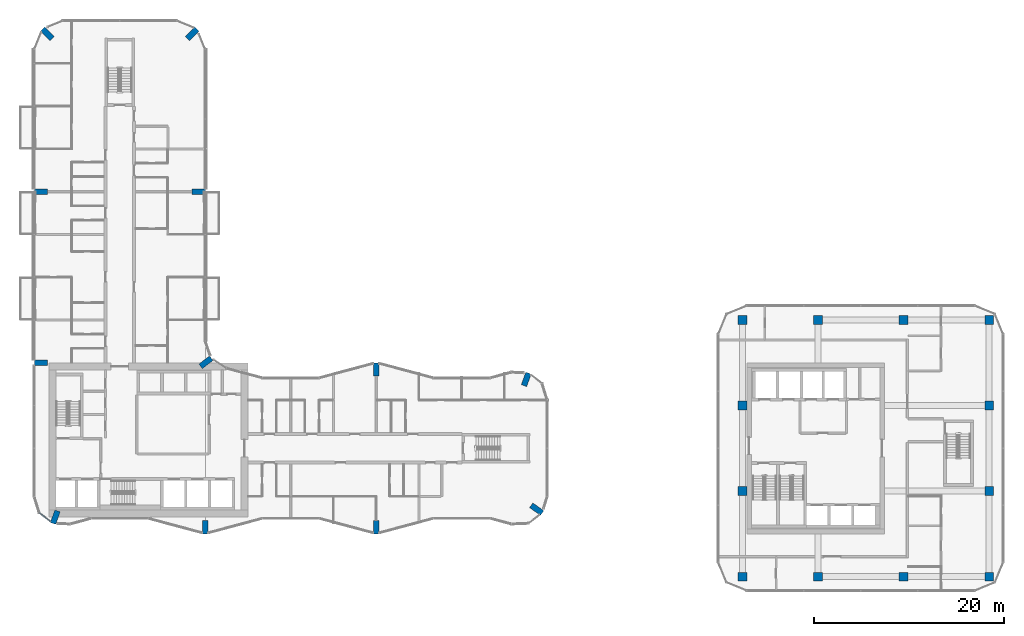
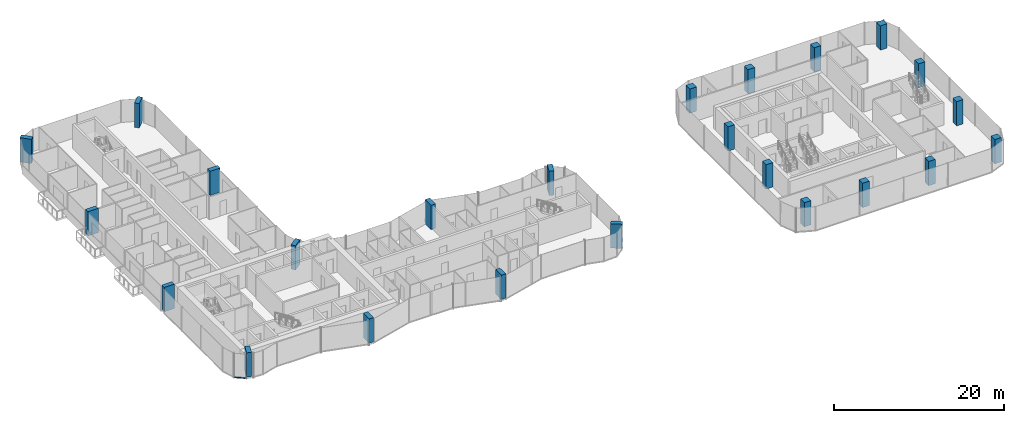
# One storey, part 1 of 23: 24 columns, 1 member, 1 element without a shape of its own.
"""IFC4 building model written with IfcOpenShell, lengths in metres."""

import ifcopenshell
import ifcopenshell.guid

model = None  # the IFC model being written
_history = None  # IfcOwnerHistory: only IFC2X3 demands one
_inside = {}  # id of a spatial element -> (the spatial element, [elements in it])
_under = {}  # id of a project, library or spatial element -> (it, [spatial elements below it])
_declared = {}  # id of a project -> (the project, [libraries it declares])
_typed = {}  # id of a type object -> (the type object, [elements of that type])
_made_of = {}  # id of a material, layer set ... -> (it, [elements and type objects made of it])


def new_model(schema):
    """Start an empty IFC model of exactly this schema.

    Asked for "IFC4X3", IfcOpenShell would pick the latest addendum, in which some entities
    have other attributes; the version numbers below select the first issue.
    IFC2X3 requires an IfcOwnerHistory on every rooted entity: one is made here for all.
    """
    global model, _history
    if schema == "IFC4X3":
        model = ifcopenshell.file(schema_version=(4, 3, 0, 0))
    else:
        model = ifcopenshell.file(schema=schema)
    _inside.clear()
    _under.clear()
    _declared.clear()
    _typed.clear()
    _made_of.clear()
    _history = None
    if model.schema == "IFC2X3":
        org = make("IfcOrganization", Name="unknown")
        user = make(
            "IfcPersonAndOrganization",
            ThePerson=make("IfcPerson", FamilyName="unknown"),
            TheOrganization=org,
        )
        app = make(
            "IfcApplication",
            ApplicationDeveloper=org,
            Version="unknown",
            ApplicationFullName="unknown",
            ApplicationIdentifier="unknown",
        )
        _history = make(
            "IfcOwnerHistory",
            OwningUser=user,
            OwningApplication=app,
            ChangeAction="ADDED",
            CreationDate=0,
        )
    return model


def make(cls, **values):
    """One entity of the class cls with the attributes given. An attribute that is None is left unset."""
    return model.create_entity(
        cls, **{name: value for name, value in values.items() if value is not None}
    )


def rooted(cls, **values):
    """An entity with a GlobalId (a new one), such as an element, a storey or a relation."""
    return make(cls, GlobalId=ifcopenshell.guid.new(), OwnerHistory=_history, **values)


def si_unit(unit_type, name, prefix=None):
    """IfcSIUnit, for example si_unit("LENGTHUNIT", "METRE", prefix="MILLI")."""
    return make("IfcSIUnit", UnitType=unit_type, Prefix=prefix, Name=name)


def assignment(units):
    """IfcUnitAssignment: the units of a project."""
    return None if units is None else make("IfcUnitAssignment", Units=units)


def point(xyz):
    """IfcCartesianPoint."""
    return None if xyz is None else make("IfcCartesianPoint", Coordinates=xyz)


def direction(xyz):
    """IfcDirection."""
    return None if xyz is None else make("IfcDirection", DirectionRatios=xyz)


def frame(location, z_axis=None, x_axis=None):
    """IfcAxis2Placement3D, a coordinate frame: its origin and axes. An axis left out is left unset."""
    return make(
        "IfcAxis2Placement3D",
        Location=point(location),
        Axis=direction(z_axis),
        RefDirection=direction(x_axis),
    )


def frame_2d(location, x_axis=None):
    """IfcAxis2Placement2D, a coordinate frame in the plane: its origin and x axis."""
    return make(
        "IfcAxis2Placement2D", Location=point(location), RefDirection=direction(x_axis)
    )


def origin():
    """The frame at (0, 0, 0) with its axes left unset."""
    return frame((0.0, 0.0, 0.0))


def origin_2d():
    """The frame at (0, 0) in the plane with its x axis left unset."""
    return frame_2d((0.0, 0.0))


def place(relative_to, where):
    """IfcLocalPlacement: puts the frame where relative to a parent placement (None: the world)."""
    return make(
        "IfcLocalPlacement", PlacementRelTo=relative_to, RelativePlacement=where
    )


def context(
    kind, dimensions, precision=None, world=None, true_north=None, identifier=None
):
    """IfcGeometricRepresentationContext, for example the 3D "Model" context."""
    return make(
        "IfcGeometricRepresentationContext",
        ContextIdentifier=identifier,
        ContextType=kind,
        CoordinateSpaceDimension=dimensions,
        Precision=precision,
        WorldCoordinateSystem=world,
        TrueNorth=true_north,
    )


def subcontext(parent, identifier, kind, view, scale=None):
    """IfcGeometricRepresentationSubContext, for example "Body" below "Model"."""
    return make(
        "IfcGeometricRepresentationSubContext",
        ContextIdentifier=identifier,
        ContextType=kind,
        ParentContext=parent,
        TargetScale=scale,
        TargetView=view,
    )


def project(units=None, contexts=None):
    """IfcProject with its units and contexts."""
    return rooted(
        "IfcProject",
        Name="project",
        RepresentationContexts=contexts,
        UnitsInContext=assignment(units),
    )


def spatial(cls, under=None, at=None, **own):
    """A site, building, storey or space (cls), placed at a placement, below another one or the project."""
    s = rooted(cls, ObjectPlacement=at, **own)
    if under is not None:
        _under.setdefault(under.id(), (under, []))[1].append(s)
    return s


def profile(cls, at=None, kind="AREA", **sizes):
    """A parametric profile (cls). Its sizes go by their IFC names, for example OverallWidth=200.0."""
    return make(cls, ProfileType=kind, Position=at, **sizes)


def rectangle(**sizes):
    """IfcRectangleProfileDef."""
    return profile("IfcRectangleProfileDef", **sizes)


def extrude(swept, where, along, depth):
    """IfcExtrudedAreaSolid: the profile swept, set in the frame where, extruded along a direction by depth."""
    return make(
        "IfcExtrudedAreaSolid",
        SweptArea=swept,
        Position=where,
        ExtrudedDirection=direction(along),
        Depth=depth,
    )


def shape(context_of_items, identifier, shape_type, items):
    """IfcShapeRepresentation: the items that make up one representation, for example the "Body"."""
    return make(
        "IfcShapeRepresentation",
        ContextOfItems=context_of_items,
        RepresentationIdentifier=identifier,
        RepresentationType=shape_type,
        Items=items,
    )


def material(Name=None, Category=None):
    """IfcMaterial."""
    return make("IfcMaterial", Name=Name, Category=Category)


def layer(
    of_material, thickness, ventilated=None, Name=None, Category=None, Priority=None
):
    """IfcMaterialLayer: one layer of a wall or slab, of a material (None: an air gap)."""
    return make(
        "IfcMaterialLayer",
        Material=of_material,
        LayerThickness=thickness,
        IsVentilated=ventilated,
        Name=Name,
        Category=Category,
        Priority=Priority,
    )


def layer_set(layers, Name=None):
    """IfcMaterialLayerSet."""
    return make("IfcMaterialLayerSet", MaterialLayers=layers, LayerSetName=Name)


def material_profile(
    of_material, cross_section, Name=None, Category=None, Priority=None
):
    """IfcMaterialProfile: a cross section and its material."""
    return make(
        "IfcMaterialProfile",
        Name=Name,
        Material=of_material,
        Profile=cross_section,
        Priority=Priority,
        Category=Category,
    )


def profile_set(profiles, Name=None, composite=None):
    """IfcMaterialProfileSet."""
    return make(
        "IfcMaterialProfileSet",
        Name=Name,
        MaterialProfiles=profiles,
        CompositeProfile=composite,
    )


def made_of(thing, what):
    """Note that an element or type object is made of a material, layer set ...; save() writes the relation."""
    if what is not None:
        _made_of.setdefault(what.id(), (what, []))[1].append(thing)
    return thing


def type_object(cls, material=None, **own):
    """A type object (cls), such as IfcWallType, which elements share."""
    return made_of(rooted(cls, **own), material)


def element(
    cls,
    number,
    at=None,
    inside=None,
    cuts=None,
    type_object=None,
    material=None,
    context=None,
    identifier="Body",
    shape_type=None,
    held_by="IfcProductDefinitionShape",
    body=None,
    shapes=None,
    **own,
):
    """One element of the class cls, such as IfcWall. Its Tag is "e" and its number.

    at: its placement. inside: the storey or other place that contains it. cuts: it is an
    opening in that element (IfcRelVoidsElement). A single representation is given by context,
    identifier, shape_type and body (its items); several are given by shapes. held_by: the class
    of the entity that holds the representations. save() writes the other relations.
    """
    e = rooted(cls, Tag="e%d" % number, ObjectPlacement=at, **own)
    if body is not None:
        shapes = [shape(context, identifier, shape_type, body)]
    if shapes is not None:
        e.Representation = make(held_by, Representations=shapes)
    if inside is not None:
        _inside.setdefault(inside.id(), (inside, []))[1].append(e)
    if cuts is not None:
        rooted(
            "IfcRelVoidsElement", RelatingBuildingElement=cuts, RelatedOpeningElement=e
        )
    if type_object is not None:
        _typed.setdefault(type_object.id(), (type_object, []))[1].append(e)
    return made_of(e, material)


def aggregate(whole, parts):
    """IfcRelAggregates: a whole, such as a stair, and the parts it consists of."""
    return rooted("IfcRelAggregates", RelatingObject=whole, RelatedObjects=parts)


def save(model, path):
    """Write the relations noted so far, then the file.

    IfcRelAggregates (storeys below a building ...), IfcRelContainedInSpatialStructure (elements
    in a storey), IfcRelDefinesByType, IfcRelAssociatesMaterial and IfcRelDeclares: one each for
    every whole, place, type object, material and project.
    """
    for whole, parts in _under.values():
        aggregate(whole, parts)
    for where, things in _inside.values():
        rooted(
            "IfcRelContainedInSpatialStructure",
            RelatedElements=things,
            RelatingStructure=where,
        )
    for kind, things in _typed.values():
        rooted("IfcRelDefinesByType", RelatedObjects=things, RelatingType=kind)
    for what, things in _made_of.values():
        rooted("IfcRelAssociatesMaterial", RelatedObjects=things, RelatingMaterial=what)
    for by, libraries in _declared.values():
        rooted("IfcRelDeclares", RelatingContext=by, RelatedDefinitions=libraries)
    model.write(path)


model = new_model("IFC4")

# Units and contexts
model_context = context("Model", 3, precision=1e-05, world=origin(), true_north=direction((0.0, 1.0)))
body_context = subcontext(model_context, "Body", "Model", "MODEL_VIEW")
ifc_project = project(units=[si_unit("LENGTHUNIT", "METRE"), si_unit("AREAUNIT", "SQUARE_METRE"), si_unit("VOLUMEUNIT", "CUBIC_METRE"), si_unit("PLANEANGLEUNIT", "RADIAN"), si_unit("MASSUNIT", "GRAM", prefix="KILO")], contexts=[model_context])

# Site, building, storey
site_placement = place(None, origin())
site = spatial("IfcSite", under=ifc_project, at=site_placement, CompositionType="ELEMENT")
building_placement = place(site_placement, origin())
building = spatial("IfcBuilding", under=site, at=building_placement, Name="Plateau Cross Towers", CompositionType="ELEMENT")
storey_placement = place(building_placement, frame((0.0, 0.0, 40.800048828125)))
storey = spatial("IfcBuildingStorey", under=building, at=storey_placement, Name="L09", CompositionType="ELEMENT", Elevation=40.800048828125)

# Columns
ifc_material_1 = material(Name="Concrete C60/75", Category="concrete")
ifc_material_profile_1 = material_profile(ifc_material_1, rectangle(XDim=0.60009765625, YDim=1.39990234375, at=origin_2d()), Name="RC 600x1400")
ifc_profile_set_1 = profile_set([ifc_material_profile_1], Name="Concrete C60/75")
column_type_1 = type_object("IfcColumnType", Name="Fin pier column RC 600x1400", PredefinedType="COLUMN", material=ifc_profile_set_1)
for number, where, z_axis, x_axis, name in (
    (1, (18.0, 0.699951171875, 0.0), (0.0, 0.0, 1.0), (1.0, 0.0, 0.0), "PR1 L09"),
    (2, (36.0, 0.699951171875, 0.0), (0.0, 0.0, 1.0), (1.0, 0.0, 0.0), "PR2 L09"),
    (3, (52.884033203125, 2.590087890625, 0.0), (0.0, 0.0, 1.0), (0.573542637991, 0.819175709117, 0.0), "PR3 L09"),
    (4, (51.786865234375, 16.251953125, 0.0), (0.0, 0.0, 1.0), (-0.939664280925, 0.342097996418, 0.0), "PR4 L09"),
    (5, (36.0, 17.300048828125, 0.0), (0.0, 0.0, 1.0), (1.0, 0.0, 0.0), "PR5 L09"),
    (6, (18.064697265625, 18.049560546875, 0.0), (0.0, 0.0, 1.0), (-0.608810846443, 0.793315418515, 0.0), "PR6 L09"),
    (7, (17.300048828125, 36.0, 0.0), (0.0, 0.0, 1.0), (0.0, 1.0, 0.0), "PR7 L09"),
    (8, (16.62646484375, 52.62646484375, 0.0), (0.0, 0.0, 1.0), (-0.707106781187, 0.707106781187, 0.0), "PR8 L09"),
    (9, (1.37353515625, 52.62646484375, 0.0), (0.0, 0.0, 1.0), (0.707106781187, 0.707106781187, 0.0), "PR9 L09"),
    (10, (0.699951171875, 36.0, 0.0), (0.0, 0.0, 1.0), (0.0, 1.0, 0.0), "PR10 L09"),
    (11, (0.699951171875, 18.0, 0.0), (0.0, 0.0, 1.0), (0.0, 1.0, 0.0), "PR11 L09"),
    (12, (2.213134765625, 1.748046875, 0.0), (0.0, 0.0, 1.0), (-0.939664280925, 0.342097996418, 0.0), "PR12 L09"),
):
    element("IfcColumn", number, at=place(storey_placement, frame(where, z_axis=z_axis, x_axis=x_axis)), inside=storey, type_object=column_type_1, Name=name, PredefinedType="COLUMN", context=body_context, shape_type="SweptSolid", body=[
        extrude(rectangle(XDim=0.60009765625, YDim=1.39990234375, at=origin_2d()), origin(), (0.0, 0.0, 1.0), 3.5),
    ])
ifc_material_profile_2 = material_profile(ifc_material_1, rectangle(XDim=0.89990234375, YDim=0.89990234375, at=origin_2d()), Name="RC 900x900")
ifc_profile_set_2 = profile_set([ifc_material_profile_2], Name="Concrete C60/75")
column_type_2 = type_object("IfcColumnType", Name="Office column RC 900x900", PredefinedType="COLUMN", material=ifc_profile_set_2)
for number, where, z_axis, x_axis, name in (
    (13, (74.550048828125, -4.5, 0.0), (0.0, 0.0, 1.0), (1.0, 0.0, 0.0), "B-C746_-45 L09"),
    (14, (82.5, -4.5, 0.0), (0.0, 0.0, 1.0), (1.0, 0.0, 0.0), "B-C825_-45 L09"),
    (15, (91.5, -4.5, 0.0), (0.0, 0.0, 1.0), (1.0, 0.0, 0.0), "B-C915_-45 L09"),
    (16, (100.5, -4.5, 0.0), (0.0, 0.0, 1.0), (1.0, 0.0, 0.0), "B-C1005_-45 L09"),
    (17, (100.5, 4.5, 0.0), (0.0, 0.0, 1.0), (1.0, 0.0, 0.0), "B-C1005_45 L09"),
    (18, (100.5, 13.5, 0.0), (0.0, 0.0, 1.0), (1.0, 0.0, 0.0), "B-C1005_135 L09"),
    (19, (100.5, 22.5, 0.0), (0.0, 0.0, 1.0), (1.0, 0.0, 0.0), "B-C1005_225 L09"),
    (20, (91.5, 22.5, 0.0), (0.0, 0.0, 1.0), (1.0, 0.0, 0.0), "B-C915_225 L09"),
    (21, (82.5, 22.5, 0.0), (0.0, 0.0, 1.0), (1.0, 0.0, 0.0), "B-C825_225 L09"),
    (22, (74.550048828125, 22.5, 0.0), (0.0, 0.0, 1.0), (1.0, 0.0, 0.0), "B-C746_225 L09"),
    (23, (74.550048828125, 13.5, 0.0), (0.0, 0.0, 1.0), (1.0, 0.0, 0.0), "B-C746_135 L09"),
    (24, (74.550048828125, 4.5, 0.0), (0.0, 0.0, 1.0), (1.0, 0.0, 0.0), "B-C746_45 L09"),
):
    element("IfcColumn", number, at=place(storey_placement, frame(where, z_axis=z_axis, x_axis=x_axis)), inside=storey, type_object=column_type_2, Name=name, PredefinedType="COLUMN", context=body_context, shape_type="SweptSolid", body=[
        extrude(rectangle(XDim=0.89990234375, YDim=0.89990234375, at=origin_2d()), origin(), (0.0, 0.0, 1.0), 3.5),
    ])

# Curtain wall, member
ifc_material_2 = material(Name="Dark low-iron glass", Category="glass")
ifc_layer = layer(ifc_material_2, 0.239990234375)
ifc_layer_set = layer_set([ifc_layer], Name="Dark low-iron glass")
curtain_wall_type = type_object("IfcCurtainWallType", Name="Curtain wall flush unitised CW-B", PredefinedType="NOTDEFINED", material=ifc_layer_set)
curtain_wall_placement = place(storey_placement, origin())
curtain_wall = element("IfcCurtainWall", 25, at=curtain_wall_placement, inside=storey, type_object=curtain_wall_type, Name="ENV/A/L09/A5_22", PredefinedType="NOTDEFINED")
ifc_material_3 = material(Name="Black anodised aluminium", Category="aluminium")
ifc_material_profile_3 = material_profile(ifc_material_3, rectangle(XDim=0.10009765625, YDim=0.1201171875, at=origin_2d()), Name="TRANSOM 100x120")
ifc_profile_set_3 = profile_set([ifc_material_profile_3], Name="Black anodised aluminium")
member_type = type_object("IfcMemberType", Name="Transom 100x120 flush unitised", PredefinedType="USERDEFINED", material=ifc_profile_set_3)
member_placement = place(storey_placement, frame((0.54248046875, 2.1884765625, -0.18994140625), z_axis=(0.793320508571, -0.608804213751, 0.0), x_axis=(0.608804213751, 0.793320508571, 0.0)))
member = element("IfcMember", 26, at=member_placement, type_object=member_type, Name="CW-B transom", ObjectType="TRANSOM", PredefinedType="USERDEFINED", context=body_context, shape_type="SweptSolid", body=[
    extrude(rectangle(XDim=0.10009765625, YDim=0.1201171875, at=origin_2d()), origin(), (0.0, 0.0, 1.0), 1.471435546875),
])
aggregate(curtain_wall, [member])

save(model, "model.ifc")
